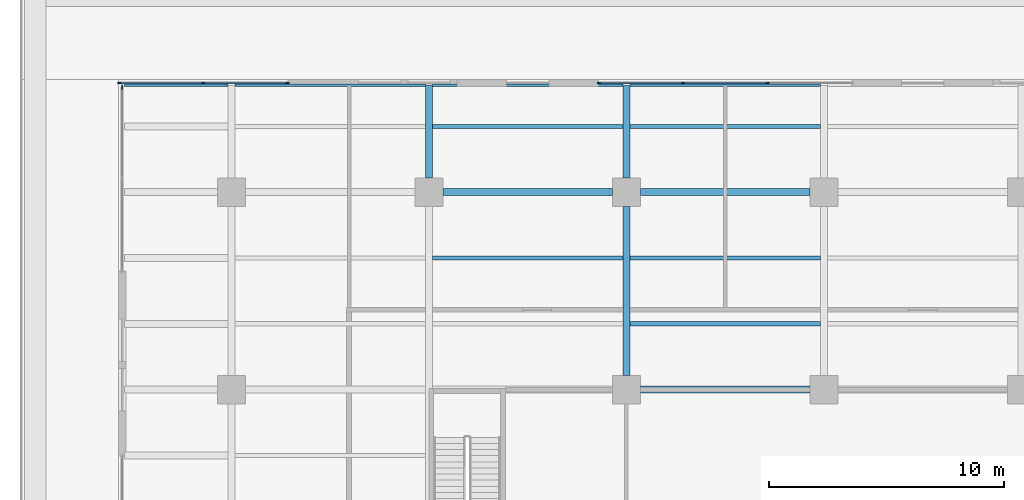
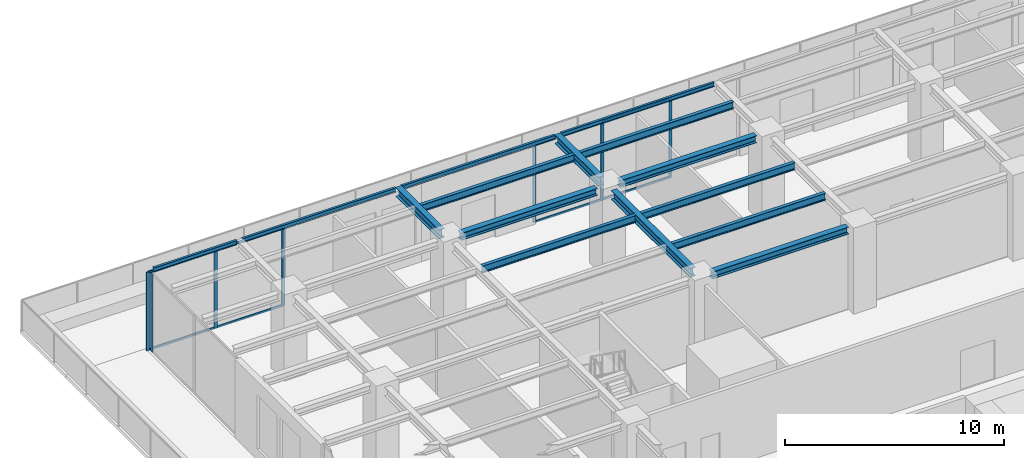
# One storey, part 11 of 32: 15 beams, 15 members, 3 elements without a shape of their own.
"""IFC4 building model written with IfcOpenShell, lengths in metres."""

from ifc_helpers import new_model, si_unit, direction, frame, origin, origin_2d, place, context, subcontext, project, spatial, rectangle, i_section, extrude, material, material_profile, profile_set, type_object, element, aggregate, save


model = new_model("IFC4")

# Units and contexts
model_context = context("Model", 3, precision=1e-05, world=origin(), true_north=direction((0.0, 1.0)))
body_context = subcontext(model_context, "Body", "Model", "MODEL_VIEW")
ifc_project = project(units=[si_unit("LENGTHUNIT", "METRE"), si_unit("AREAUNIT", "SQUARE_METRE"), si_unit("VOLUMEUNIT", "CUBIC_METRE"), si_unit("PLANEANGLEUNIT", "RADIAN"), si_unit("MASSUNIT", "GRAM", prefix="KILO")], contexts=[model_context])

# Site, building, storey
site_placement = place(None, origin())
site = spatial("IfcSite", under=ifc_project, at=site_placement, CompositionType="ELEMENT")
building_placement = place(site_placement, origin())
building = spatial("IfcBuilding", under=site, at=building_placement, Name="Khepri Terraces", CompositionType="ELEMENT")
storey_placement = place(building_placement, frame((0.0, 0.0, 12.0)))
storey = spatial("IfcBuildingStorey", under=building, at=storey_placement, Name="L02", CompositionType="ELEMENT", Elevation=12.0)

# Curtain wall, members
ifc_material_1 = material(Name="Anodised aluminium bronze curtain wall", Category="aluminium")
curtain_wall_type = type_object("IfcCurtainWallType", Name="CW-SYS2-PODIUM", PredefinedType="NOTDEFINED", material=ifc_material_1)
curtain_wall_1_placement = place(storey_placement, origin())
curtain_wall_1 = element("IfcCurtainWall", 1, at=curtain_wall_1_placement, inside=storey, type_object=curtain_wall_type, Name="Curtain wall CW2 L02 N", PredefinedType="NOTDEFINED")
ifc_material_2 = material(Name="Anodised aluminium bronze", Category="aluminium")
ifc_material_profile_1 = material_profile(ifc_material_2, rectangle(XDim=0.06005859375, YDim=0.159912109375, at=origin_2d()), Name="Anodised aluminium bronze", Category="aluminium")
ifc_profile_set_1 = profile_set([ifc_material_profile_1], Name="Anodised aluminium bronze")
member_type_1 = type_object("IfcMemberType", Name="CW-MULLION-60x160", PredefinedType="MULLION", material=ifc_profile_set_1)
member_1_placement = place(storey_placement, frame((-10.800048828125, 38.25, 0.0), z_axis=(0.0, 0.0, 1.0), x_axis=(0.0, -1.0, 0.0)))
member_1 = element("IfcMember", 2, at=member_1_placement, type_object=member_type_1, Name="CW2 mullion 2", PredefinedType="MULLION", context=body_context, shape_type="SweptSolid", body=[
    extrude(rectangle(XDim=0.06005859375, YDim=0.159912109375, at=origin_2d()), origin(), (0.0, 0.0, 1.0), 4.3798828125),
])
member_2_placement = place(storey_placement, frame((-14.39990234375, 38.25, 0.0), z_axis=(0.0, 0.0, 1.0), x_axis=(0.0, -1.0, 0.0)))
member_2 = element("IfcMember", 3, at=member_2_placement, type_object=member_type_1, Name="CW2 mullion 3", PredefinedType="MULLION", context=body_context, shape_type="SweptSolid", body=[
    extrude(rectangle(XDim=0.06005859375, YDim=0.159912109375, at=origin_2d()), origin(), (0.0, 0.0, 1.0), 4.3798828125),
])
member_3_placement = place(storey_placement, frame((-17.969970703125, 38.25, 0.0), z_axis=(0.0, 0.0, 1.0), x_axis=(0.0, -1.0, 0.0)))
member_3 = element("IfcMember", 4, at=member_3_placement, type_object=member_type_1, Name="CW2 mullion 4", PredefinedType="MULLION", context=body_context, shape_type="SweptSolid", body=[
    extrude(rectangle(XDim=0.06005859375, YDim=0.159912109375, at=origin_2d()), origin(), (0.0, 0.0, 1.0), 4.3798828125),
])

curtain_wall_2_placement = place(storey_placement, origin())
curtain_wall_2 = element("IfcCurtainWall", 5, at=curtain_wall_2_placement, inside=storey, type_object=curtain_wall_type, Name="Curtain wall CW2 L02 N", PredefinedType="NOTDEFINED")
member_4_placement = place(storey_placement, frame((-31.22998046875, 38.25, 0.0), z_axis=(0.0, 0.0, 1.0), x_axis=(0.0, -1.0, 0.0)))
member_4 = element("IfcMember", 6, at=member_4_placement, type_object=member_type_1, Name="CW2 mullion 1", PredefinedType="MULLION", context=body_context, shape_type="SweptSolid", body=[
    extrude(rectangle(XDim=0.06005859375, YDim=0.159912109375, at=origin_2d()), origin(), (0.0, 0.0, 1.0), 4.3798828125),
])
member_5_placement = place(storey_placement, frame((-34.800048828125, 38.25, 0.0), z_axis=(0.0, 0.0, 1.0), x_axis=(0.0, -1.0, 0.0)))
member_5 = element("IfcMember", 7, at=member_5_placement, type_object=member_type_1, Name="CW2 mullion 2", PredefinedType="MULLION", context=body_context, shape_type="SweptSolid", body=[
    extrude(rectangle(XDim=0.06005859375, YDim=0.159912109375, at=origin_2d()), origin(), (0.0, 0.0, 1.0), 4.3798828125),
])
member_6_placement = place(storey_placement, frame((-38.3701171875, 38.25, 0.0), z_axis=(0.0, 0.0, 1.0), x_axis=(0.0, -1.0, 0.0)))
member_6 = element("IfcMember", 8, at=member_6_placement, type_object=member_type_1, Name="CW2 mullion 3", PredefinedType="MULLION", context=body_context, shape_type="SweptSolid", body=[
    extrude(rectangle(XDim=0.06005859375, YDim=0.159912109375, at=origin_2d()), origin(), (0.0, 0.0, 1.0), 4.3798828125),
])

# Curtain wall, member
curtain_wall_3_placement = place(storey_placement, origin())
curtain_wall_3 = element("IfcCurtainWall", 9, at=curtain_wall_3_placement, inside=storey, type_object=curtain_wall_type, Name="Curtain wall CW2 L02 W", PredefinedType="NOTDEFINED")
member_7_placement = place(storey_placement, frame((-38.25, 38.070068359375, 0.0), z_axis=(0.0, 0.0, 1.0), x_axis=(1.0, 0.0, 0.0)))
member_7 = element("IfcMember", 10, at=member_7_placement, type_object=member_type_1, Name="CW2 mullion 1", PredefinedType="MULLION", context=body_context, shape_type="SweptSolid", body=[
    extrude(rectangle(XDim=0.06005859375, YDim=0.159912109375, at=origin_2d()), origin(), (0.0, 0.0, 1.0), 4.3798828125),
])
aggregate(curtain_wall_3, [member_7])

# Member
ifc_material_profile_2 = material_profile(ifc_material_2, rectangle(XDim=0.06005859375, YDim=0.1201171875, at=origin_2d()), Name="Anodised aluminium bronze", Category="aluminium")
ifc_profile_set_2 = profile_set([ifc_material_profile_2], Name="Anodised aluminium bronze")
member_type_2 = type_object("IfcMemberType", Name="CW-TRANSOM-60x120", PredefinedType="USERDEFINED", material=ifc_profile_set_2)
member_8_placement = place(storey_placement, frame((-10.830078125, 38.25, 0.030029296875), z_axis=(-1.0, 0.0, 0.0), x_axis=(0.0, -1.0, 0.0)))
member_8 = element("IfcMember", 11, at=member_8_placement, type_object=member_type_2, Name="CW2 transom 2.1", ObjectType="TRANSOM", PredefinedType="USERDEFINED", context=body_context, shape_type="SweptSolid", body=[
    extrude(rectangle(XDim=0.06005859375, YDim=0.1201171875, at=origin_2d()), origin(), (0.0, 0.0, 1.0), 3.5400390625),
])

member_9_placement = place(storey_placement, frame((-10.830078125, 38.25, 4.35009765625), z_axis=(-1.0, 0.0, 0.0), x_axis=(0.0, -1.0, 0.0)))
member_9 = element("IfcMember", 12, at=member_9_placement, type_object=member_type_2, Name="CW2 transom 2.2", ObjectType="TRANSOM", PredefinedType="USERDEFINED", context=body_context, shape_type="SweptSolid", body=[
    extrude(rectangle(XDim=0.06005859375, YDim=0.1201171875, at=origin_2d()), origin(), (0.0, 0.0, 1.0), 3.5400390625),
])

member_10_placement = place(storey_placement, frame((-14.429931640625, 38.25, 0.030029296875), z_axis=(-1.0, 0.0, 0.0), x_axis=(0.0, -1.0, 0.0)))
member_10 = element("IfcMember", 13, at=member_10_placement, type_object=member_type_2, Name="CW2 transom 3.1", ObjectType="TRANSOM", PredefinedType="USERDEFINED", context=body_context, shape_type="SweptSolid", body=[
    extrude(rectangle(XDim=0.06005859375, YDim=0.1201171875, at=origin_2d()), origin(), (0.0, 0.0, 1.0), 3.510009765625),
])

member_11_placement = place(storey_placement, frame((-14.429931640625, 38.25, 4.35009765625), z_axis=(-1.0, 0.0, 0.0), x_axis=(0.0, -1.0, 0.0)))
member_11 = element("IfcMember", 14, at=member_11_placement, type_object=member_type_2, Name="CW2 transom 3.2", ObjectType="TRANSOM", PredefinedType="USERDEFINED", context=body_context, shape_type="SweptSolid", body=[
    extrude(rectangle(XDim=0.06005859375, YDim=0.1201171875, at=origin_2d()), origin(), (0.0, 0.0, 1.0), 3.510009765625),
])

aggregate(curtain_wall_1, [member_1, member_2, member_3, member_8, member_9, member_10, member_11])

member_12_placement = place(storey_placement, frame((-31.260009765625, 38.25, 0.030029296875), z_axis=(-1.0, 0.0, 0.0), x_axis=(0.0, -1.0, 0.0)))
member_12 = element("IfcMember", 15, at=member_12_placement, type_object=member_type_2, Name="CW2 transom 1.1", ObjectType="TRANSOM", PredefinedType="USERDEFINED", context=body_context, shape_type="SweptSolid", body=[
    extrude(rectangle(XDim=0.06005859375, YDim=0.1201171875, at=origin_2d()), origin(), (0.0, 0.0, 1.0), 3.510009765625),
])

member_13_placement = place(storey_placement, frame((-31.260009765625, 38.25, 4.35009765625), z_axis=(-1.0, 0.0, 0.0), x_axis=(0.0, -1.0, 0.0)))
member_13 = element("IfcMember", 16, at=member_13_placement, type_object=member_type_2, Name="CW2 transom 1.2", ObjectType="TRANSOM", PredefinedType="USERDEFINED", context=body_context, shape_type="SweptSolid", body=[
    extrude(rectangle(XDim=0.06005859375, YDim=0.1201171875, at=origin_2d()), origin(), (0.0, 0.0, 1.0), 3.510009765625),
])

member_14_placement = place(storey_placement, frame((-34.830078125, 38.25, 0.030029296875), z_axis=(-1.0, 0.0, 0.0), x_axis=(0.0, -1.0, 0.0)))
member_14 = element("IfcMember", 17, at=member_14_placement, type_object=member_type_2, Name="CW2 transom 2.1", ObjectType="TRANSOM", PredefinedType="USERDEFINED", context=body_context, shape_type="SweptSolid", body=[
    extrude(rectangle(XDim=0.06005859375, YDim=0.1201171875, at=origin_2d()), origin(), (0.0, 0.0, 1.0), 3.510009765625),
])

member_15_placement = place(storey_placement, frame((-34.830078125, 38.25, 4.35009765625), z_axis=(-1.0, 0.0, 0.0), x_axis=(0.0, -1.0, 0.0)))
member_15 = element("IfcMember", 18, at=member_15_placement, type_object=member_type_2, Name="CW2 transom 2.2", ObjectType="TRANSOM", PredefinedType="USERDEFINED", context=body_context, shape_type="SweptSolid", body=[
    extrude(rectangle(XDim=0.06005859375, YDim=0.1201171875, at=origin_2d()), origin(), (0.0, 0.0, 1.0), 3.510009765625),
])

aggregate(curtain_wall_2, [member_4, member_5, member_6, member_12, member_13, member_14, member_15])

# Beams
ifc_material_3 = material(Name="Steel S355", Category="steel")
ifc_material_profile_3 = material_profile(ifc_material_3, i_section(OverallWidth=0.1201171875, OverallDepth=0.239990234375, WebThickness=0.006103515625, FlangeThickness=0.009765625, FilletRadius=0.014892578125, at=origin_2d()), Name="Steel S355", Category="steel")
ifc_profile_set_3 = profile_set([ifc_material_profile_3], Name="Steel S355")
beam_type_1 = type_object("IfcBeamType", Name="Podium cantilever edge beam L03 IPE 240", PredefinedType="SPANDREL", material=ifc_profile_set_3)
beam_1_placement = place(storey_placement, frame((-38.14990234375, 38.14990234375, 4.47998046875), z_axis=(1.0, 0.0, 0.0), x_axis=(0.0, 1.0, 0.0)))
element("IfcBeam", 19, at=beam_1_placement, inside=storey, type_object=beam_type_1, Name="Podium edge beam L03 011", PredefinedType="SPANDREL", context=body_context, shape_type="SweptSolid", body=[
    extrude(i_section(OverallWidth=0.1201171875, OverallDepth=0.239990234375, WebThickness=0.006103515625, FlangeThickness=0.009765625, FilletRadius=0.014892578125, at=origin_2d()), origin(), (0.0, 0.0, 1.0), 4.39990234375),
])
ifc_material_profile_4 = material_profile(ifc_material_3, i_section(OverallWidth=0.300048828125, OverallDepth=0.5, WebThickness=0.014404296875, FlangeThickness=0.028076171875, FilletRadius=0.027099609375, at=origin_2d()), Name="Steel S355", Category="steel")
ifc_profile_set_4 = profile_set([ifc_material_profile_4], Name="Steel S355")
beam_type_2 = type_object("IfcBeamType", Name="Podium cantilever girder L03 HEB 500", PredefinedType="BEAM", material=ifc_profile_set_4)
for number, where, z_axis, x_axis, name in (
    (20, (-25.199951171875, 34.199951171875, 4.35009765625), (0.0, 1.0, 0.0), (-1.0, 0.0, 0.0), "Podium girder L03 018"),
    (21, (-16.800048828125, 34.199951171875, 4.35009765625), (0.0, 1.0, 0.0), (-1.0, 0.0, 0.0), "Podium girder L03 022"),
):
    element("IfcBeam", number, at=place(storey_placement, frame(where, z_axis=z_axis, x_axis=x_axis)), inside=storey, type_object=beam_type_2, Name=name, PredefinedType="BEAM", context=body_context, shape_type="SweptSolid", body=[
        extrude(i_section(OverallWidth=0.300048828125, OverallDepth=0.5, WebThickness=0.014404296875, FlangeThickness=0.028076171875, FilletRadius=0.027099609375, at=origin_2d()), origin(), (0.0, 0.0, 1.0), 3.949951171875),
    ])
ifc_material_profile_5 = material_profile(ifc_material_3, i_section(OverallWidth=0.1201171875, OverallDepth=0.239990234375, WebThickness=0.006103515625, FlangeThickness=0.009765625, FilletRadius=0.014892578125, at=origin_2d()), Name="Steel S355", Category="steel")
ifc_profile_set_5 = profile_set([ifc_material_profile_5], Name="Steel S355")
beam_type_3 = type_object("IfcBeamType", Name="Podium edge beam L03 IPE 240", PredefinedType="SPANDREL", material=ifc_profile_set_5)
beam_2_placement = place(storey_placement, frame((-33.449951171875, 38.14990234375, 4.47998046875), z_axis=(1.0, 0.0, 0.0), x_axis=(0.0, 1.0, 0.0)))
element("IfcBeam", 22, at=beam_2_placement, inside=storey, type_object=beam_type_3, Name="Podium edge beam L03 012", PredefinedType="SPANDREL", context=body_context, shape_type="SweptSolid", body=[
    extrude(i_section(OverallWidth=0.1201171875, OverallDepth=0.239990234375, WebThickness=0.006103515625, FlangeThickness=0.009765625, FilletRadius=0.014892578125, at=origin_2d()), origin(), (0.0, 0.0, 1.0), 8.099853515625),
])
beam_3_placement = place(storey_placement, frame((-25.050048828125, 38.14990234375, 4.47998046875), z_axis=(1.0, 0.0, 0.0), x_axis=(0.0, 1.0, 0.0)))
element("IfcBeam", 23, at=beam_3_placement, inside=storey, type_object=beam_type_3, Name="Podium edge beam L03 013", PredefinedType="SPANDREL", context=body_context, shape_type="SweptSolid", body=[
    extrude(i_section(OverallWidth=0.1201171875, OverallDepth=0.239990234375, WebThickness=0.006103515625, FlangeThickness=0.009765625, FilletRadius=0.014892578125, at=origin_2d()), origin(), (0.0, 0.0, 1.0), 8.10009765625),
])
beam_4_placement = place(storey_placement, frame((-16.64990234375, 38.14990234375, 4.47998046875), z_axis=(1.0, 0.0, 0.0), x_axis=(0.0, 1.0, 0.0)))
element("IfcBeam", 24, at=beam_4_placement, inside=storey, type_object=beam_type_3, Name="Podium edge beam L03 014", PredefinedType="SPANDREL", context=body_context, shape_type="SweptSolid", body=[
    extrude(i_section(OverallWidth=0.1201171875, OverallDepth=0.239990234375, WebThickness=0.006103515625, FlangeThickness=0.009765625, FilletRadius=0.014892578125, at=origin_2d()), origin(), (0.0, 0.0, 1.0), 8.099853515625),
])
ifc_material_profile_6 = material_profile(ifc_material_3, i_section(OverallWidth=0.300048828125, OverallDepth=0.5, WebThickness=0.014404296875, FlangeThickness=0.028076171875, FilletRadius=0.027099609375, at=origin_2d()), Name="Steel S355", Category="steel")
ifc_profile_set_6 = profile_set([ifc_material_profile_6], Name="Steel S355")
beam_type_4 = type_object("IfcBeamType", Name="Podium girder L03 HEB 500", PredefinedType="BEAM", material=ifc_profile_set_6)
beam_5_placement = place(storey_placement, frame((-16.800048828125, 25.800048828125, 4.35009765625), z_axis=(0.0, 1.0, 0.0), x_axis=(-1.0, 0.0, 0.0)))
element("IfcBeam", 25, at=beam_5_placement, inside=storey, type_object=beam_type_4, Name="Podium girder L03 021", PredefinedType="BEAM", context=body_context, shape_type="SweptSolid", body=[
    extrude(i_section(OverallWidth=0.300048828125, OverallDepth=0.5, WebThickness=0.014404296875, FlangeThickness=0.028076171875, FilletRadius=0.027099609375, at=origin_2d()), origin(), (0.0, 0.0, 1.0), 7.199951171875),
])
ifc_material_profile_7 = material_profile(ifc_material_3, i_section(OverallWidth=0.300048828125, OverallDepth=0.39990234375, WebThickness=0.013427734375, FlangeThickness=0.02392578125, FilletRadius=0.027099609375, at=origin_2d()), Name="Steel S355", Category="steel")
ifc_profile_set_7 = profile_set([ifc_material_profile_7], Name="Steel S355")
beam_type_5 = type_object("IfcBeamType", Name="Podium girder L03 grid line HEB 400", PredefinedType="BEAM", material=ifc_profile_set_7)
beam_6_placement = place(storey_placement, frame((-16.199951171875, 25.199951171875, 4.39990234375), z_axis=(1.0, 0.0, 0.0), x_axis=(0.0, 1.0, 0.0)))
element("IfcBeam", 26, at=beam_6_placement, inside=storey, type_object=beam_type_5, Name="Podium grid-line girder L03 119", PredefinedType="BEAM", context=body_context, shape_type="SweptSolid", body=[
    extrude(i_section(OverallWidth=0.300048828125, OverallDepth=0.39990234375, WebThickness=0.013427734375, FlangeThickness=0.02392578125, FilletRadius=0.027099609375, at=origin_2d()), origin(), (0.0, 0.0, 1.0), 7.199951171875),
])
beam_7_placement = place(storey_placement, frame((-24.60009765625, 33.60009765625, 4.39990234375), z_axis=(1.0, 0.0, 0.0), x_axis=(0.0, 1.0, 0.0)))
element("IfcBeam", 27, at=beam_7_placement, inside=storey, type_object=beam_type_5, Name="Podium grid-line girder L03 147", PredefinedType="BEAM", context=body_context, shape_type="SweptSolid", body=[
    extrude(i_section(OverallWidth=0.300048828125, OverallDepth=0.39990234375, WebThickness=0.013427734375, FlangeThickness=0.02392578125, FilletRadius=0.027099609375, at=origin_2d()), origin(), (0.0, 0.0, 1.0), 7.2001953125),
])
beam_8_placement = place(storey_placement, frame((-16.199951171875, 33.60009765625, 4.39990234375), z_axis=(1.0, 0.0, 0.0), x_axis=(0.0, 1.0, 0.0)))
element("IfcBeam", 28, at=beam_8_placement, inside=storey, type_object=beam_type_5, Name="Podium grid-line girder L03 148", PredefinedType="BEAM", context=body_context, shape_type="SweptSolid", body=[
    extrude(i_section(OverallWidth=0.300048828125, OverallDepth=0.39990234375, WebThickness=0.013427734375, FlangeThickness=0.02392578125, FilletRadius=0.027099609375, at=origin_2d()), origin(), (0.0, 0.0, 1.0), 7.199951171875),
])
ifc_material_profile_8 = material_profile(ifc_material_3, i_section(OverallWidth=0.179931640625, OverallDepth=0.39990234375, WebThickness=0.008544921875, FlangeThickness=0.013427734375, FilletRadius=0.02099609375, at=origin_2d()), Name="Steel S355", Category="steel")
ifc_profile_set_8 = profile_set([ifc_material_profile_8], Name="Steel S355")
beam_type_6 = type_object("IfcBeamType", Name="Podium joist L03 IPE 400", PredefinedType="JOIST", material=ifc_profile_set_8)
beam_9_placement = place(storey_placement, frame((-16.64990234375, 28.0, 4.39990234375), z_axis=(1.0, 0.0, 0.0), x_axis=(0.0, 1.0, 0.0)))
element("IfcBeam", 29, at=beam_9_placement, inside=storey, type_object=beam_type_6, Name="Podium joist L03 128", PredefinedType="JOIST", context=body_context, shape_type="SweptSolid", body=[
    extrude(i_section(OverallWidth=0.179931640625, OverallDepth=0.39990234375, WebThickness=0.008544921875, FlangeThickness=0.013427734375, FilletRadius=0.02099609375, at=origin_2d()), origin(), (0.0, 0.0, 1.0), 8.099853515625),
])
beam_10_placement = place(storey_placement, frame((-25.050048828125, 30.800048828125, 4.39990234375), z_axis=(1.0, 0.0, 0.0), x_axis=(0.0, 1.0, 0.0)))
element("IfcBeam", 30, at=beam_10_placement, inside=storey, type_object=beam_type_6, Name="Podium joist L03 137", PredefinedType="JOIST", context=body_context, shape_type="SweptSolid", body=[
    extrude(i_section(OverallWidth=0.179931640625, OverallDepth=0.39990234375, WebThickness=0.008544921875, FlangeThickness=0.013427734375, FilletRadius=0.02099609375, at=origin_2d()), origin(), (0.0, 0.0, 1.0), 8.10009765625),
])
beam_11_placement = place(storey_placement, frame((-16.64990234375, 30.800048828125, 4.39990234375), z_axis=(1.0, 0.0, 0.0), x_axis=(0.0, 1.0, 0.0)))
element("IfcBeam", 31, at=beam_11_placement, inside=storey, type_object=beam_type_6, Name="Podium joist L03 138", PredefinedType="JOIST", context=body_context, shape_type="SweptSolid", body=[
    extrude(i_section(OverallWidth=0.179931640625, OverallDepth=0.39990234375, WebThickness=0.008544921875, FlangeThickness=0.013427734375, FilletRadius=0.02099609375, at=origin_2d()), origin(), (0.0, 0.0, 1.0), 8.099853515625),
])
beam_12_placement = place(storey_placement, frame((-25.050048828125, 36.39990234375, 4.39990234375), z_axis=(1.0, 0.0, 0.0), x_axis=(0.0, 1.0, 0.0)))
element("IfcBeam", 32, at=beam_12_placement, inside=storey, type_object=beam_type_6, Name="Podium joist L03 157", PredefinedType="JOIST", context=body_context, shape_type="SweptSolid", body=[
    extrude(i_section(OverallWidth=0.179931640625, OverallDepth=0.39990234375, WebThickness=0.008544921875, FlangeThickness=0.013427734375, FilletRadius=0.02099609375, at=origin_2d()), origin(), (0.0, 0.0, 1.0), 8.10009765625),
])
beam_13_placement = place(storey_placement, frame((-16.64990234375, 36.39990234375, 4.39990234375), z_axis=(1.0, 0.0, 0.0), x_axis=(0.0, 1.0, 0.0)))
element("IfcBeam", 33, at=beam_13_placement, inside=storey, type_object=beam_type_6, Name="Podium joist L03 158", PredefinedType="JOIST", context=body_context, shape_type="SweptSolid", body=[
    extrude(i_section(OverallWidth=0.179931640625, OverallDepth=0.39990234375, WebThickness=0.008544921875, FlangeThickness=0.013427734375, FilletRadius=0.02099609375, at=origin_2d()), origin(), (0.0, 0.0, 1.0), 8.099853515625),
])

save(model, "model.ifc")
